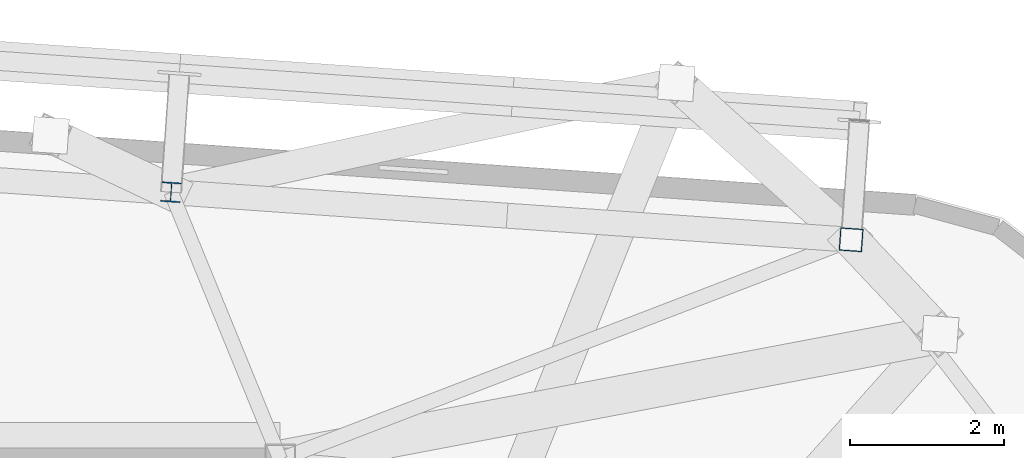
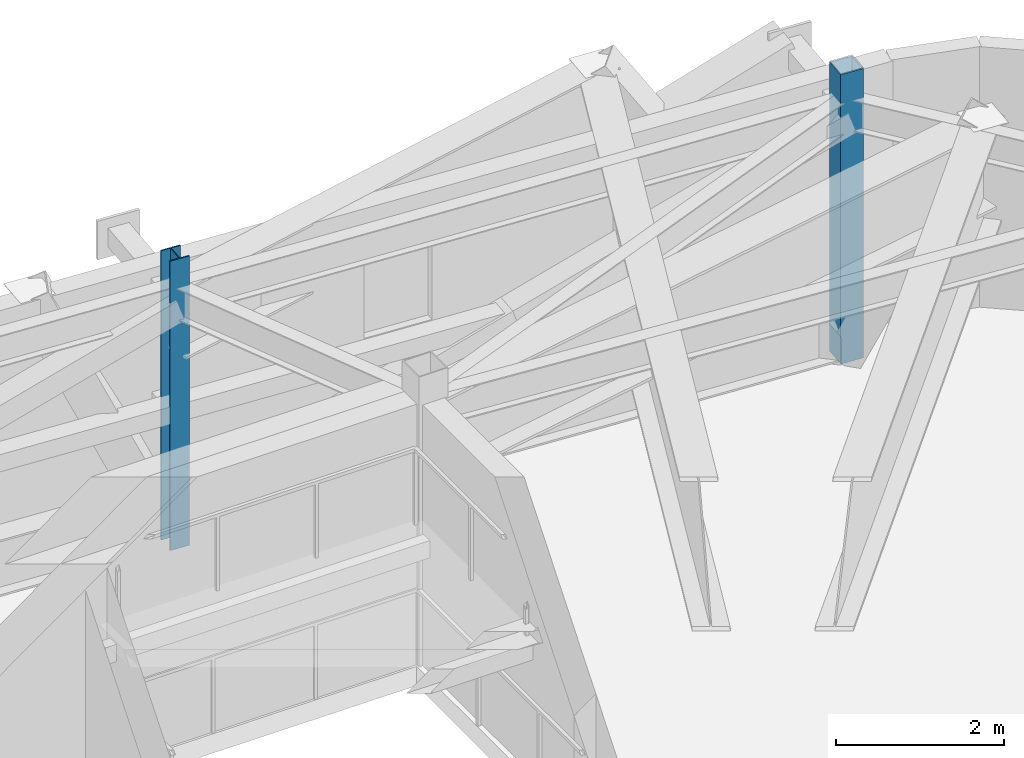
# One storey, part 5 of 24: 2 columns.
"""IFC4 building model written with IfcOpenShell, lengths in metres."""

import ifcopenshell
import ifcopenshell.guid

model = None  # the IFC model being written
_history = None  # IfcOwnerHistory: only IFC2X3 demands one
_inside = {}  # id of a spatial element -> (the spatial element, [elements in it])
_under = {}  # id of a project, library or spatial element -> (it, [spatial elements below it])
_declared = {}  # id of a project -> (the project, [libraries it declares])
_typed = {}  # id of a type object -> (the type object, [elements of that type])
_made_of = {}  # id of a material, layer set ... -> (it, [elements and type objects made of it])


def new_model(schema):
    """Start an empty IFC model of exactly this schema.

    Asked for "IFC4X3", IfcOpenShell would pick the latest addendum, in which some entities
    have other attributes; the version numbers below select the first issue.
    IFC2X3 requires an IfcOwnerHistory on every rooted entity: one is made here for all.
    """
    global model, _history
    if schema == "IFC4X3":
        model = ifcopenshell.file(schema_version=(4, 3, 0, 0))
    else:
        model = ifcopenshell.file(schema=schema)
    _inside.clear()
    _under.clear()
    _declared.clear()
    _typed.clear()
    _made_of.clear()
    _history = None
    if model.schema == "IFC2X3":
        org = make("IfcOrganization", Name="unknown")
        user = make(
            "IfcPersonAndOrganization",
            ThePerson=make("IfcPerson", FamilyName="unknown"),
            TheOrganization=org,
        )
        app = make(
            "IfcApplication",
            ApplicationDeveloper=org,
            Version="unknown",
            ApplicationFullName="unknown",
            ApplicationIdentifier="unknown",
        )
        _history = make(
            "IfcOwnerHistory",
            OwningUser=user,
            OwningApplication=app,
            ChangeAction="ADDED",
            CreationDate=0,
        )
    return model


def make(cls, **values):
    """One entity of the class cls with the attributes given. An attribute that is None is left unset."""
    return model.create_entity(
        cls, **{name: value for name, value in values.items() if value is not None}
    )


def rooted(cls, **values):
    """An entity with a GlobalId (a new one), such as an element, a storey or a relation."""
    return make(cls, GlobalId=ifcopenshell.guid.new(), OwnerHistory=_history, **values)


def si_unit(unit_type, name, prefix=None):
    """IfcSIUnit, for example si_unit("LENGTHUNIT", "METRE", prefix="MILLI")."""
    return make("IfcSIUnit", UnitType=unit_type, Prefix=prefix, Name=name)


def assignment(units):
    """IfcUnitAssignment: the units of a project."""
    return None if units is None else make("IfcUnitAssignment", Units=units)


def point(xyz):
    """IfcCartesianPoint."""
    return None if xyz is None else make("IfcCartesianPoint", Coordinates=xyz)


def direction(xyz):
    """IfcDirection."""
    return None if xyz is None else make("IfcDirection", DirectionRatios=xyz)


def frame(location, z_axis=None, x_axis=None):
    """IfcAxis2Placement3D, a coordinate frame: its origin and axes. An axis left out is left unset."""
    return make(
        "IfcAxis2Placement3D",
        Location=point(location),
        Axis=direction(z_axis),
        RefDirection=direction(x_axis),
    )


def frame_2d(location, x_axis=None):
    """IfcAxis2Placement2D, a coordinate frame in the plane: its origin and x axis."""
    return make(
        "IfcAxis2Placement2D", Location=point(location), RefDirection=direction(x_axis)
    )


def origin():
    """The frame at (0, 0, 0) with its axes left unset."""
    return frame((0.0, 0.0, 0.0))


def origin_2d():
    """The frame at (0, 0) in the plane with its x axis left unset."""
    return frame_2d((0.0, 0.0))


def place(relative_to, where):
    """IfcLocalPlacement: puts the frame where relative to a parent placement (None: the world)."""
    return make(
        "IfcLocalPlacement", PlacementRelTo=relative_to, RelativePlacement=where
    )


def context(
    kind, dimensions, precision=None, world=None, true_north=None, identifier=None
):
    """IfcGeometricRepresentationContext, for example the 3D "Model" context."""
    return make(
        "IfcGeometricRepresentationContext",
        ContextIdentifier=identifier,
        ContextType=kind,
        CoordinateSpaceDimension=dimensions,
        Precision=precision,
        WorldCoordinateSystem=world,
        TrueNorth=true_north,
    )


def subcontext(parent, identifier, kind, view, scale=None):
    """IfcGeometricRepresentationSubContext, for example "Body" below "Model"."""
    return make(
        "IfcGeometricRepresentationSubContext",
        ContextIdentifier=identifier,
        ContextType=kind,
        ParentContext=parent,
        TargetScale=scale,
        TargetView=view,
    )


def project(units=None, contexts=None):
    """IfcProject with its units and contexts."""
    return rooted(
        "IfcProject",
        Name="project",
        RepresentationContexts=contexts,
        UnitsInContext=assignment(units),
    )


def spatial(cls, under=None, at=None, **own):
    """A site, building, storey or space (cls), placed at a placement, below another one or the project."""
    s = rooted(cls, ObjectPlacement=at, **own)
    if under is not None:
        _under.setdefault(under.id(), (under, []))[1].append(s)
    return s


def profile(cls, at=None, kind="AREA", **sizes):
    """A parametric profile (cls). Its sizes go by their IFC names, for example OverallWidth=200.0."""
    return make(cls, ProfileType=kind, Position=at, **sizes)


def hollow_rectangle(**sizes):
    """IfcRectangleHollowProfileDef."""
    return profile("IfcRectangleHollowProfileDef", **sizes)


def i_section(**sizes):
    """IfcIShapeProfileDef."""
    return profile("IfcIShapeProfileDef", **sizes)


def extrude(swept, where, along, depth):
    """IfcExtrudedAreaSolid: the profile swept, set in the frame where, extruded along a direction by depth."""
    return make(
        "IfcExtrudedAreaSolid",
        SweptArea=swept,
        Position=where,
        ExtrudedDirection=direction(along),
        Depth=depth,
    )


def shape(context_of_items, identifier, shape_type, items):
    """IfcShapeRepresentation: the items that make up one representation, for example the "Body"."""
    return make(
        "IfcShapeRepresentation",
        ContextOfItems=context_of_items,
        RepresentationIdentifier=identifier,
        RepresentationType=shape_type,
        Items=items,
    )


def source(mapping_origin, context_of_items, identifier, shape_type, items):
    """IfcRepresentationMap: a shape defined once, which mapped items show again and again."""
    return make(
        "IfcRepresentationMap",
        MappingOrigin=mapping_origin,
        MappedRepresentation=shape(context_of_items, identifier, shape_type, items),
    )


def transform(
    local_origin,
    x_axis=None,
    y_axis=None,
    z_axis=None,
    scale=None,
    scale2=None,
    scale3=None,
    uniform=True,
):
    """IfcCartesianTransformationOperator3D, or its non-uniform kind. x_axis, y_axis, z_axis: its Axis1, 2, 3."""
    if uniform:
        return make(
            "IfcCartesianTransformationOperator3D",
            Axis1=direction(x_axis),
            Axis2=direction(y_axis),
            LocalOrigin=point(local_origin),
            Scale=scale,
            Axis3=direction(z_axis),
        )
    return make(
        "IfcCartesianTransformationOperator3DnonUniform",
        Axis1=direction(x_axis),
        Axis2=direction(y_axis),
        LocalOrigin=point(local_origin),
        Scale=scale,
        Axis3=direction(z_axis),
        Scale2=scale2,
        Scale3=scale3,
    )


def mapped(mapping_source, mapping_target):
    """IfcMappedItem: shows the shape of a source again, moved by a transform."""
    return make(
        "IfcMappedItem", MappingSource=mapping_source, MappingTarget=mapping_target
    )


def material(Name=None, Category=None):
    """IfcMaterial."""
    return make("IfcMaterial", Name=Name, Category=Category)


def material_profile(
    of_material, cross_section, Name=None, Category=None, Priority=None
):
    """IfcMaterialProfile: a cross section and its material."""
    return make(
        "IfcMaterialProfile",
        Name=Name,
        Material=of_material,
        Profile=cross_section,
        Priority=Priority,
        Category=Category,
    )


def profile_set(profiles, Name=None, composite=None):
    """IfcMaterialProfileSet."""
    return make(
        "IfcMaterialProfileSet",
        Name=Name,
        MaterialProfiles=profiles,
        CompositeProfile=composite,
    )


def made_of(thing, what):
    """Note that an element or type object is made of a material, layer set ...; save() writes the relation."""
    if what is not None:
        _made_of.setdefault(what.id(), (what, []))[1].append(thing)
    return thing


def type_object(cls, material=None, **own):
    """A type object (cls), such as IfcWallType, which elements share."""
    return made_of(rooted(cls, **own), material)


def element(
    cls,
    number,
    at=None,
    inside=None,
    cuts=None,
    type_object=None,
    material=None,
    context=None,
    identifier="Body",
    shape_type=None,
    held_by="IfcProductDefinitionShape",
    body=None,
    shapes=None,
    **own,
):
    """One element of the class cls, such as IfcWall. Its Tag is "e" and its number.

    at: its placement. inside: the storey or other place that contains it. cuts: it is an
    opening in that element (IfcRelVoidsElement). A single representation is given by context,
    identifier, shape_type and body (its items); several are given by shapes. held_by: the class
    of the entity that holds the representations. save() writes the other relations.
    """
    e = rooted(cls, Tag="e%d" % number, ObjectPlacement=at, **own)
    if body is not None:
        shapes = [shape(context, identifier, shape_type, body)]
    if shapes is not None:
        e.Representation = make(held_by, Representations=shapes)
    if inside is not None:
        _inside.setdefault(inside.id(), (inside, []))[1].append(e)
    if cuts is not None:
        rooted(
            "IfcRelVoidsElement", RelatingBuildingElement=cuts, RelatedOpeningElement=e
        )
    if type_object is not None:
        _typed.setdefault(type_object.id(), (type_object, []))[1].append(e)
    return made_of(e, material)


def aggregate(whole, parts):
    """IfcRelAggregates: a whole, such as a stair, and the parts it consists of."""
    return rooted("IfcRelAggregates", RelatingObject=whole, RelatedObjects=parts)


def save(model, path):
    """Write the relations noted so far, then the file.

    IfcRelAggregates (storeys below a building ...), IfcRelContainedInSpatialStructure (elements
    in a storey), IfcRelDefinesByType, IfcRelAssociatesMaterial and IfcRelDeclares: one each for
    every whole, place, type object, material and project.
    """
    for whole, parts in _under.values():
        aggregate(whole, parts)
    for where, things in _inside.values():
        rooted(
            "IfcRelContainedInSpatialStructure",
            RelatedElements=things,
            RelatingStructure=where,
        )
    for kind, things in _typed.values():
        rooted("IfcRelDefinesByType", RelatedObjects=things, RelatingType=kind)
    for what, things in _made_of.values():
        rooted("IfcRelAssociatesMaterial", RelatedObjects=things, RelatingMaterial=what)
    for by, libraries in _declared.values():
        rooted("IfcRelDeclares", RelatingContext=by, RelatedDefinitions=libraries)
    model.write(path)


model = new_model("IFC4")

# Units and contexts
model_context = context("Model", 3, precision=1e-05, world=origin(), true_north=direction((0.0, 1.0)))
body_context = subcontext(model_context, "Body", "Model", "MODEL_VIEW")
ifc_project = project(units=[si_unit("LENGTHUNIT", "METRE"), si_unit("AREAUNIT", "SQUARE_METRE"), si_unit("VOLUMEUNIT", "CUBIC_METRE"), si_unit("PLANEANGLEUNIT", "RADIAN"), si_unit("MASSUNIT", "GRAM", prefix="KILO")], contexts=[model_context])

# Site, building, storey
site_placement = place(None, origin())
site = spatial("IfcSite", under=ifc_project, at=site_placement, CompositionType="ELEMENT")
building_placement = place(site_placement, origin())
building = spatial("IfcBuilding", under=site, at=building_placement, Name="Taldren Reach Tower", CompositionType="ELEMENT")
storey_placement = place(building_placement, frame((0.0, 0.0, 164.5)))
storey = spatial("IfcBuildingStorey", under=building, at=storey_placement, Name="L50", CompositionType="ELEMENT", Elevation=164.5)

# Columns
ifc_material_1 = material(Name="Steel Gr 450 (C450L0)", Category="steel")
ifc_material_profile_1 = material_profile(ifc_material_1, hollow_rectangle(XDim=0.300048828125, YDim=0.300048828125, WallThickness=0.012451171875, at=origin_2d()), Name="300x300x12.5SHS")
ifc_profile_set_1 = profile_set([ifc_material_profile_1], Name="Steel Gr 450 (C450L0)")
column_type_1 = type_object("IfcColumnType", Name="COL-SHS300", PredefinedType="COLUMN", material=ifc_profile_set_1)
shared_shape_1 = source(origin(), body_context, "Body", "SweptSolid", [
    extrude(hollow_rectangle(XDim=0.300048828125, YDim=0.300048828125, WallThickness=0.012451171875, at=origin_2d()), origin(), (0.0, 0.0, 1.0), 4.199951171875),
])
column_1_placement = place(storey_placement, frame((58.4365234375, 34.861572265625, 0.0), z_axis=(0.0, 0.0, 1.0), x_axis=(0.99756405026, -0.069756473744, 0.0)))
element("IfcColumn", 1, at=column_1_placement, inside=storey, type_object=column_type_1, Name="Block B3 perimeter column N6 L50", PredefinedType="COLUMN", context=body_context, shape_type="MappedRepresentation", body=[
    mapped(shared_shape_1, transform((0.0, 0.0, 0.0), scale=1.0)),
])
ifc_material_2 = material(Name="Steel Gr 350 (350PLUS)", Category="steel")
ifc_material_profile_2 = material_profile(ifc_material_2, i_section(OverallWidth=0.256103515625, OverallDepth=0.260009765625, WebThickness=0.010498046875, FlangeThickness=0.017333984375, at=origin_2d()), Name="250UC89.5")
ifc_profile_set_2 = profile_set([ifc_material_profile_2], Name="Steel Gr 350 (350PLUS)")
column_type_2 = type_object("IfcColumnType", Name="COL-UC250", PredefinedType="COLUMN", material=ifc_profile_set_2)
shared_shape_2 = source(origin(), body_context, "Body", "SweptSolid", [
    extrude(i_section(OverallWidth=0.256103515625, OverallDepth=0.260009765625, WebThickness=0.010498046875, FlangeThickness=0.017333984375, at=origin_2d()), origin(), (0.0, 0.0, 1.0), 4.199951171875),
])
column_2_placement = place(storey_placement, frame((49.578125, 35.48095703125, 0.0), z_axis=(0.0, 0.0, 1.0), x_axis=(0.99756405026, -0.069756473744, 0.0)))
element("IfcColumn", 2, at=column_2_placement, inside=storey, type_object=column_type_2, Name="Block B3 perimeter column N5 L50", PredefinedType="COLUMN", context=body_context, shape_type="MappedRepresentation", body=[
    mapped(shared_shape_2, transform((0.0, 0.0, 0.0), scale=1.0)),
])

save(model, "model.ifc")
